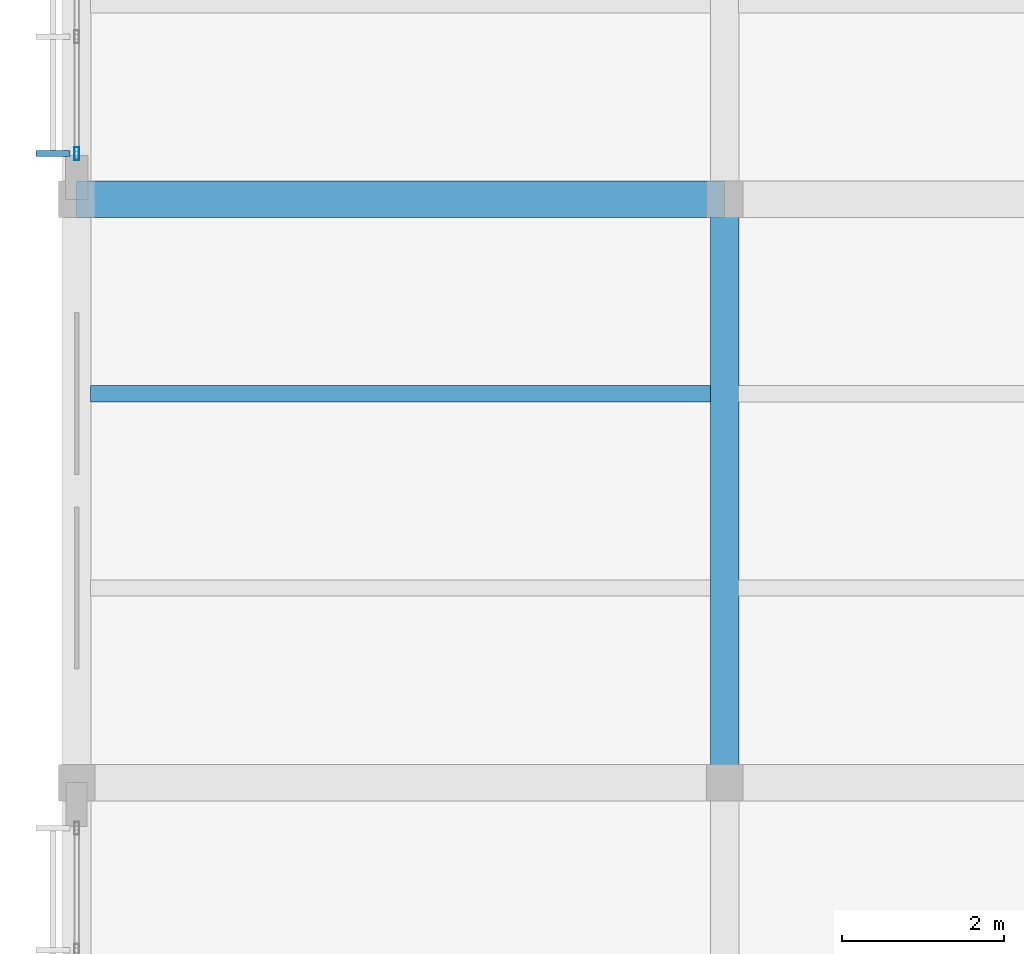
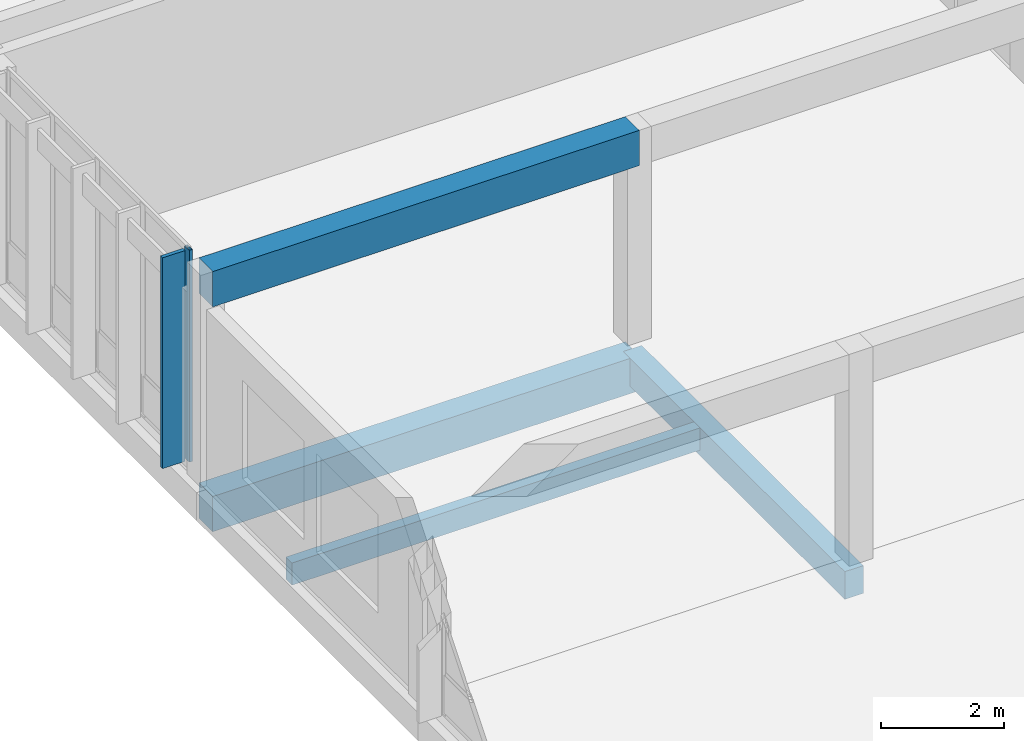
# One storey, part 25 of 107: 4 beams, 2 members, 1 element without a shape of its own.
"""IFC4 building model written with IfcOpenShell, lengths in metres."""

import ifcopenshell
import ifcopenshell.guid

model = None  # the IFC model being written
_history = None  # IfcOwnerHistory: only IFC2X3 demands one
_inside = {}  # id of a spatial element -> (the spatial element, [elements in it])
_under = {}  # id of a project, library or spatial element -> (it, [spatial elements below it])
_declared = {}  # id of a project -> (the project, [libraries it declares])
_typed = {}  # id of a type object -> (the type object, [elements of that type])
_made_of = {}  # id of a material, layer set ... -> (it, [elements and type objects made of it])


def new_model(schema):
    """Start an empty IFC model of exactly this schema.

    Asked for "IFC4X3", IfcOpenShell would pick the latest addendum, in which some entities
    have other attributes; the version numbers below select the first issue.
    IFC2X3 requires an IfcOwnerHistory on every rooted entity: one is made here for all.
    """
    global model, _history
    if schema == "IFC4X3":
        model = ifcopenshell.file(schema_version=(4, 3, 0, 0))
    else:
        model = ifcopenshell.file(schema=schema)
    _inside.clear()
    _under.clear()
    _declared.clear()
    _typed.clear()
    _made_of.clear()
    _history = None
    if model.schema == "IFC2X3":
        org = make("IfcOrganization", Name="unknown")
        user = make(
            "IfcPersonAndOrganization",
            ThePerson=make("IfcPerson", FamilyName="unknown"),
            TheOrganization=org,
        )
        app = make(
            "IfcApplication",
            ApplicationDeveloper=org,
            Version="unknown",
            ApplicationFullName="unknown",
            ApplicationIdentifier="unknown",
        )
        _history = make(
            "IfcOwnerHistory",
            OwningUser=user,
            OwningApplication=app,
            ChangeAction="ADDED",
            CreationDate=0,
        )
    return model


def make(cls, **values):
    """One entity of the class cls with the attributes given. An attribute that is None is left unset."""
    return model.create_entity(
        cls, **{name: value for name, value in values.items() if value is not None}
    )


def rooted(cls, **values):
    """An entity with a GlobalId (a new one), such as an element, a storey or a relation."""
    return make(cls, GlobalId=ifcopenshell.guid.new(), OwnerHistory=_history, **values)


def si_unit(unit_type, name, prefix=None):
    """IfcSIUnit, for example si_unit("LENGTHUNIT", "METRE", prefix="MILLI")."""
    return make("IfcSIUnit", UnitType=unit_type, Prefix=prefix, Name=name)


def assignment(units):
    """IfcUnitAssignment: the units of a project."""
    return None if units is None else make("IfcUnitAssignment", Units=units)


def point(xyz):
    """IfcCartesianPoint."""
    return None if xyz is None else make("IfcCartesianPoint", Coordinates=xyz)


def direction(xyz):
    """IfcDirection."""
    return None if xyz is None else make("IfcDirection", DirectionRatios=xyz)


def frame(location, z_axis=None, x_axis=None):
    """IfcAxis2Placement3D, a coordinate frame: its origin and axes. An axis left out is left unset."""
    return make(
        "IfcAxis2Placement3D",
        Location=point(location),
        Axis=direction(z_axis),
        RefDirection=direction(x_axis),
    )


def frame_2d(location, x_axis=None):
    """IfcAxis2Placement2D, a coordinate frame in the plane: its origin and x axis."""
    return make(
        "IfcAxis2Placement2D", Location=point(location), RefDirection=direction(x_axis)
    )


def origin():
    """The frame at (0, 0, 0) with its axes left unset."""
    return frame((0.0, 0.0, 0.0))


def origin_2d():
    """The frame at (0, 0) in the plane with its x axis left unset."""
    return frame_2d((0.0, 0.0))


def place(relative_to, where):
    """IfcLocalPlacement: puts the frame where relative to a parent placement (None: the world)."""
    return make(
        "IfcLocalPlacement", PlacementRelTo=relative_to, RelativePlacement=where
    )


def context(
    kind, dimensions, precision=None, world=None, true_north=None, identifier=None
):
    """IfcGeometricRepresentationContext, for example the 3D "Model" context."""
    return make(
        "IfcGeometricRepresentationContext",
        ContextIdentifier=identifier,
        ContextType=kind,
        CoordinateSpaceDimension=dimensions,
        Precision=precision,
        WorldCoordinateSystem=world,
        TrueNorth=true_north,
    )


def subcontext(parent, identifier, kind, view, scale=None):
    """IfcGeometricRepresentationSubContext, for example "Body" below "Model"."""
    return make(
        "IfcGeometricRepresentationSubContext",
        ContextIdentifier=identifier,
        ContextType=kind,
        ParentContext=parent,
        TargetScale=scale,
        TargetView=view,
    )


def project(units=None, contexts=None):
    """IfcProject with its units and contexts."""
    return rooted(
        "IfcProject",
        Name="project",
        RepresentationContexts=contexts,
        UnitsInContext=assignment(units),
    )


def spatial(cls, under=None, at=None, **own):
    """A site, building, storey or space (cls), placed at a placement, below another one or the project."""
    s = rooted(cls, ObjectPlacement=at, **own)
    if under is not None:
        _under.setdefault(under.id(), (under, []))[1].append(s)
    return s


def profile(cls, at=None, kind="AREA", **sizes):
    """A parametric profile (cls). Its sizes go by their IFC names, for example OverallWidth=200.0."""
    return make(cls, ProfileType=kind, Position=at, **sizes)


def rectangle(**sizes):
    """IfcRectangleProfileDef."""
    return profile("IfcRectangleProfileDef", **sizes)


def hollow_rectangle(**sizes):
    """IfcRectangleHollowProfileDef."""
    return profile("IfcRectangleHollowProfileDef", **sizes)


def extrude(swept, where, along, depth):
    """IfcExtrudedAreaSolid: the profile swept, set in the frame where, extruded along a direction by depth."""
    return make(
        "IfcExtrudedAreaSolid",
        SweptArea=swept,
        Position=where,
        ExtrudedDirection=direction(along),
        Depth=depth,
    )


def shape(context_of_items, identifier, shape_type, items):
    """IfcShapeRepresentation: the items that make up one representation, for example the "Body"."""
    return make(
        "IfcShapeRepresentation",
        ContextOfItems=context_of_items,
        RepresentationIdentifier=identifier,
        RepresentationType=shape_type,
        Items=items,
    )


def material(Name=None, Category=None):
    """IfcMaterial."""
    return make("IfcMaterial", Name=Name, Category=Category)


def material_profile(
    of_material, cross_section, Name=None, Category=None, Priority=None
):
    """IfcMaterialProfile: a cross section and its material."""
    return make(
        "IfcMaterialProfile",
        Name=Name,
        Material=of_material,
        Profile=cross_section,
        Priority=Priority,
        Category=Category,
    )


def profile_set(profiles, Name=None, composite=None):
    """IfcMaterialProfileSet."""
    return make(
        "IfcMaterialProfileSet",
        Name=Name,
        MaterialProfiles=profiles,
        CompositeProfile=composite,
    )


def made_of(thing, what):
    """Note that an element or type object is made of a material, layer set ...; save() writes the relation."""
    if what is not None:
        _made_of.setdefault(what.id(), (what, []))[1].append(thing)
    return thing


def type_object(cls, material=None, **own):
    """A type object (cls), such as IfcWallType, which elements share."""
    return made_of(rooted(cls, **own), material)


def element(
    cls,
    number,
    at=None,
    inside=None,
    cuts=None,
    type_object=None,
    material=None,
    context=None,
    identifier="Body",
    shape_type=None,
    held_by="IfcProductDefinitionShape",
    body=None,
    shapes=None,
    **own,
):
    """One element of the class cls, such as IfcWall. Its Tag is "e" and its number.

    at: its placement. inside: the storey or other place that contains it. cuts: it is an
    opening in that element (IfcRelVoidsElement). A single representation is given by context,
    identifier, shape_type and body (its items); several are given by shapes. held_by: the class
    of the entity that holds the representations. save() writes the other relations.
    """
    e = rooted(cls, Tag="e%d" % number, ObjectPlacement=at, **own)
    if body is not None:
        shapes = [shape(context, identifier, shape_type, body)]
    if shapes is not None:
        e.Representation = make(held_by, Representations=shapes)
    if inside is not None:
        _inside.setdefault(inside.id(), (inside, []))[1].append(e)
    if cuts is not None:
        rooted(
            "IfcRelVoidsElement", RelatingBuildingElement=cuts, RelatedOpeningElement=e
        )
    if type_object is not None:
        _typed.setdefault(type_object.id(), (type_object, []))[1].append(e)
    return made_of(e, material)


def aggregate(whole, parts):
    """IfcRelAggregates: a whole, such as a stair, and the parts it consists of."""
    return rooted("IfcRelAggregates", RelatingObject=whole, RelatedObjects=parts)


def save(model, path):
    """Write the relations noted so far, then the file.

    IfcRelAggregates (storeys below a building ...), IfcRelContainedInSpatialStructure (elements
    in a storey), IfcRelDefinesByType, IfcRelAssociatesMaterial and IfcRelDeclares: one each for
    every whole, place, type object, material and project.
    """
    for whole, parts in _under.values():
        aggregate(whole, parts)
    for where, things in _inside.values():
        rooted(
            "IfcRelContainedInSpatialStructure",
            RelatedElements=things,
            RelatingStructure=where,
        )
    for kind, things in _typed.values():
        rooted("IfcRelDefinesByType", RelatedObjects=things, RelatingType=kind)
    for what, things in _made_of.values():
        rooted("IfcRelAssociatesMaterial", RelatedObjects=things, RelatingMaterial=what)
    for by, libraries in _declared.values():
        rooted("IfcRelDeclares", RelatingContext=by, RelatedDefinitions=libraries)
    model.write(path)


model = new_model("IFC4")

# Units and contexts
model_context = context("Model", 3, precision=1e-05, world=origin(), true_north=direction((0.0, 1.0)))
body_context = subcontext(model_context, "Body", "Model", "MODEL_VIEW")
ifc_project = project(units=[si_unit("LENGTHUNIT", "METRE"), si_unit("AREAUNIT", "SQUARE_METRE"), si_unit("VOLUMEUNIT", "CUBIC_METRE"), si_unit("PLANEANGLEUNIT", "RADIAN"), si_unit("MASSUNIT", "GRAM", prefix="KILO")], contexts=[model_context])

# Site, building, storey
site_placement = place(None, origin())
site = spatial("IfcSite", under=ifc_project, at=site_placement, CompositionType="ELEMENT")
building_placement = place(site_placement, origin())
building = spatial("IfcBuilding", under=site, at=building_placement, Name="Chiffa Square Polytechnic", CompositionType="ELEMENT")
storey_placement = place(building_placement, frame((0.0, 0.0, 13.800048828125)))
storey = spatial("IfcBuildingStorey", under=building, at=storey_placement, Name="L03", CompositionType="ELEMENT", Elevation=13.800048828125)

# Beams
ifc_material_1 = material(Name="Concrete C35/45", Category="concrete")
ifc_material_profile_1 = material_profile(ifc_material_1, rectangle(XDim=0.35009765625, YDim=0.550048828125, at=origin_2d()), Name="RC 350x550")
ifc_profile_set_1 = profile_set([ifc_material_profile_1], Name="Concrete C35/45")
beam_type_1 = type_object("IfcBeamType", Name="BM-RC-350X550", PredefinedType="BEAM", material=ifc_profile_set_1)
beam_1_placement = place(storey_placement, frame((8.0, 79.800048828125, -0.53515625), z_axis=(0.0, 1.0, 0.0), x_axis=(-1.0, 0.0, 0.0)))
element("IfcBeam", 1, at=beam_1_placement, inside=storey, type_object=beam_type_1, Name="Primary floor girder BM-V6-L03-Y-0080-0798", PredefinedType="BEAM", context=body_context, shape_type="SweptSolid", body=[
    extrude(rectangle(XDim=0.35009765625, YDim=0.550048828125, at=origin_2d()), origin(), (0.0, 0.0, 1.0), 7.199951171875),
])
ifc_material_profile_2 = material_profile(ifc_material_1, rectangle(XDim=0.449951171875, YDim=0.699951171875, at=origin_2d()), Name="RC 450x700")
ifc_profile_set_2 = profile_set([ifc_material_profile_2], Name="Concrete C35/45")
beam_type_2 = type_object("IfcBeamType", Name="BM-RC-450X700", PredefinedType="BEAM", material=ifc_profile_set_2)
for number, where, z_axis, x_axis, name in (
    (2, (0.0, 87.0, -0.610107421875), (1.0, 0.0, 0.0), (0.0, 1.0, 0.0), "Primary floor girder BM-V6-L03-X-0000-0870"),
    (3, (0.0, 87.0, 3.849853515625), (1.0, 0.0, 0.0), (0.0, 1.0, 0.0), "Sawtooth monitor sill beam BM-V6-SAWTIE-Y7-1"),
):
    element("IfcBeam", number, at=place(storey_placement, frame(where, z_axis=z_axis, x_axis=x_axis)), inside=storey, type_object=beam_type_2, Name=name, PredefinedType="BEAM", context=body_context, shape_type="SweptSolid", body=[
        extrude(rectangle(XDim=0.449951171875, YDim=0.699951171875, at=origin_2d()), origin(), (0.0, 0.0, 1.0), 8.0),
    ])

# Curtain wall, members
ifc_material_2 = material(Name="Aluminium EN AW-6060 T66 and glulam shading", Category="wood")
curtain_wall_type = type_object("IfcCurtainWallType", Name="CW-VERT-600X440", PredefinedType="USERDEFINED", material=ifc_material_2)
curtain_wall_placement = place(storey_placement, origin())
curtain_wall = element("IfcCurtainWall", 4, at=curtain_wall_placement, inside=storey, type_object=curtain_wall_type, Name="Curtain wall CW-V6-L03-273", ObjectType="CURTAIN WALL", PredefinedType="USERDEFINED")
ifc_material_3 = material(Name="Aluminium EN AW-6060 T66", Category="aluminium")
ifc_material_profile_3 = material_profile(ifc_material_3, hollow_rectangle(XDim=0.06005859375, YDim=0.159912109375, WallThickness=0.00390625, at=origin_2d()), Name="ALU 60x160x4")
ifc_profile_set_3 = profile_set([ifc_material_profile_3], Name="Aluminium EN AW-6060 T66")
member_type_1 = type_object("IfcMemberType", Name="CWM-ALU-65X150", PredefinedType="MULLION", material=ifc_profile_set_3)
member_1_placement = place(storey_placement, frame((0.0, 87.56494140625, 0.0), z_axis=(0.0, 0.0, 1.0), x_axis=(1.0, 0.0, 0.0)))
member_1 = element("IfcMember", 5, at=member_1_placement, type_object=member_type_1, Name="Curtain wall mullion CW-V6-L03-273-M04", PredefinedType="MULLION", context=body_context, shape_type="SweptSolid", body=[
    extrude(hollow_rectangle(XDim=0.06005859375, YDim=0.159912109375, WallThickness=0.00390625, at=origin_2d()), origin(), (0.0, 0.0, 1.0), 4.199951171875),
])
ifc_material_4 = material(Name="Glulam GL28h", Category="wood")
ifc_material_profile_4 = material_profile(ifc_material_4, rectangle(XDim=0.070068359375, YDim=0.419921875, at=origin_2d()), Name="GL28h 70x420")
ifc_profile_set_4 = profile_set([ifc_material_profile_4], Name="Glulam GL28h")
member_type_2 = type_object("IfcMemberType", Name="CWM-GL-70X420", PredefinedType="MULLION", material=ifc_profile_set_4)
member_2_placement = place(storey_placement, frame((-0.2919921875, 87.56494140625, 0.010009765625), z_axis=(0.0, 0.0, 1.0), x_axis=(0.0, -1.0, 0.0)))
member_2 = element("IfcMember", 6, at=member_2_placement, type_object=member_type_2, Name="Exterior glulam solar fin CW-V6-L03-273-FN04", PredefinedType="MULLION", context=body_context, shape_type="SweptSolid", body=[
    extrude(rectangle(XDim=0.070068359375, YDim=0.419921875, at=origin_2d()), origin(), (0.0, 0.0, 1.0), 4.179931640625),
])
aggregate(curtain_wall, [member_1, member_2])

# Beam
ifc_material_profile_5 = material_profile(ifc_material_4, rectangle(XDim=0.199951171875, YDim=0.43994140625, at=origin_2d()), Name="GL28h 200x440")
ifc_profile_set_5 = profile_set([ifc_material_profile_5], Name="Glulam GL28h")
beam_type_3 = type_object("IfcBeamType", Name="JST-GL-200X440", PredefinedType="JOIST", material=ifc_profile_set_5)
beam_2_placement = place(storey_placement, frame((0.173095703125, 84.60009765625, -0.47998046875), z_axis=(1.0, 0.0, 0.0), x_axis=(0.0, 1.0, 0.0)))
element("IfcBeam", 7, at=beam_2_placement, inside=storey, type_object=beam_type_3, Name="Secondary floor joist JST-V6-L03-0000-0846", PredefinedType="JOIST", context=body_context, shape_type="SweptSolid", body=[
    extrude(rectangle(XDim=0.199951171875, YDim=0.43994140625, at=origin_2d()), origin(), (0.0, 0.0, 1.0), 7.65380859375),
])

save(model, "model.ifc")
